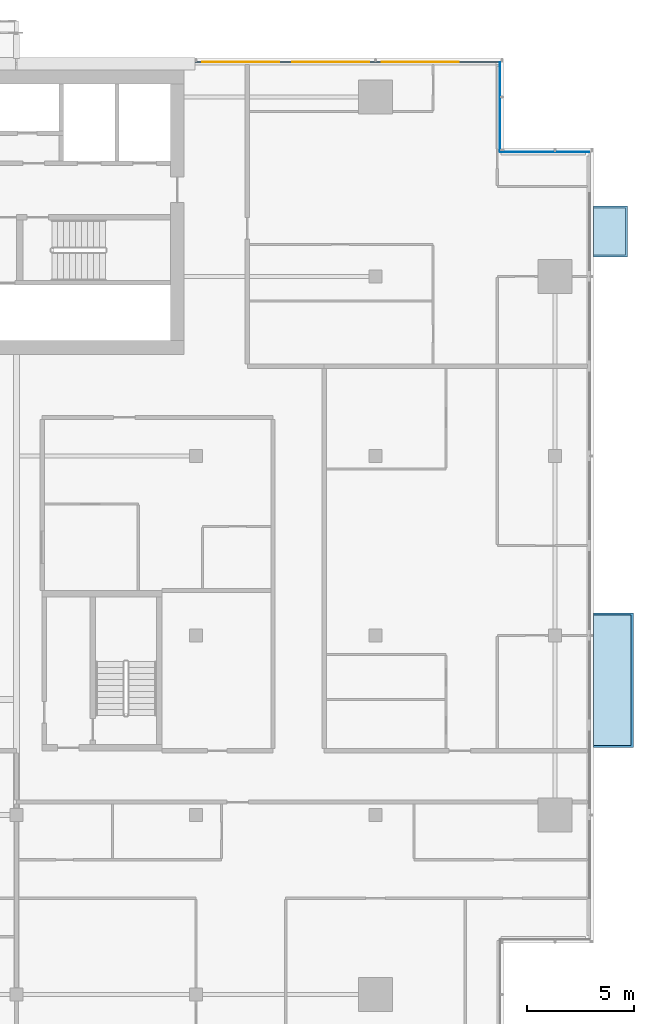
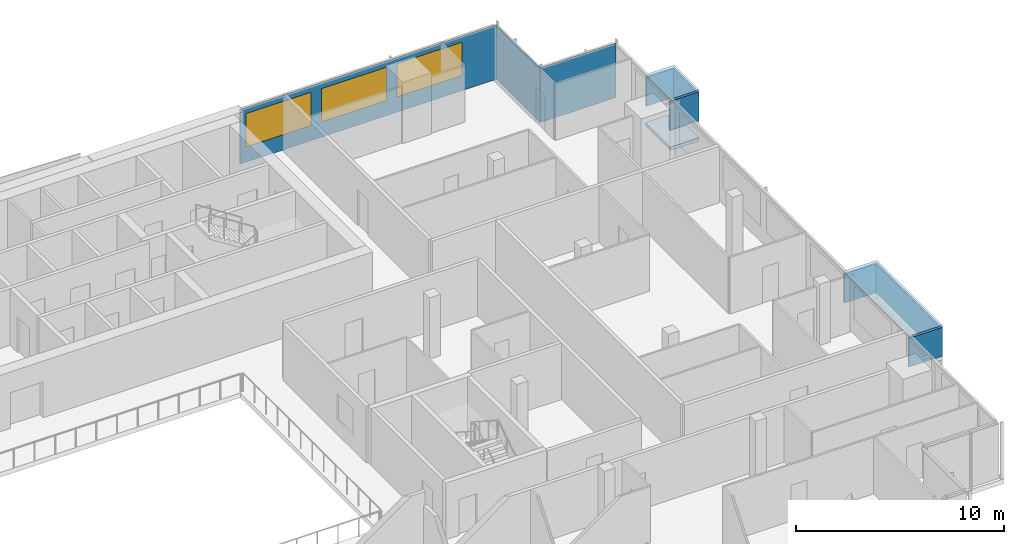
# One storey, part 16 of 26: 7 plates, 3 windows, 1 slab, 3 openings, 3 elements without a shape of their own.
"""IFC4 building model written with IfcOpenShell, lengths in metres."""

from ifc_helpers import new_model, si_unit, direction, frame, frame_2d, origin, place, context, subcontext, project, spatial, polyline, rectangle, outline, extrude, material, layer, layer_set, type_object, element, fill, aggregate, save


model = new_model("IFC4")

# Units and contexts
model_context = context("Model", 3, precision=1e-05, world=origin(), true_north=direction((0.0, 1.0)))
body_context = subcontext(model_context, "Body", "Model", "MODEL_VIEW")
ifc_project = project(units=[si_unit("LENGTHUNIT", "METRE"), si_unit("AREAUNIT", "SQUARE_METRE"), si_unit("VOLUMEUNIT", "CUBIC_METRE"), si_unit("PLANEANGLEUNIT", "RADIAN"), si_unit("MASSUNIT", "GRAM", prefix="KILO")], contexts=[model_context])

# Site, building, storey
site_placement = place(None, origin())
site = spatial("IfcSite", under=ifc_project, at=site_placement, CompositionType="ELEMENT")
building_placement = place(site_placement, origin())
building = spatial("IfcBuilding", under=site, at=building_placement, Name="Saffron Gate Tower", CompositionType="ELEMENT")
storey_placement = place(building_placement, frame((0.0, 0.0, 230.699951171875)))
storey = spatial("IfcBuildingStorey", under=building, at=storey_placement, Name="L56", CompositionType="ELEMENT", Elevation=230.699951171875)

# Curtain wall, plate, openings, windows
ifc_material_1 = material(Name="Aluminium, bronze anodised", Category="aluminium")
curtain_wall_type_1 = type_object("IfcCurtainWallType", Name="CWS3 curtain wall rear facade", PredefinedType="NOTDEFINED", material=ifc_material_1)
curtain_wall_1_placement = place(storey_placement, origin())
curtain_wall_1 = element("IfcCurtainWall", 1, at=curtain_wall_1_placement, inside=storey, type_object=curtain_wall_type_1, Name="CWS3 run 7", PredefinedType="NOTDEFINED")
ifc_material_2 = material(Name="Fritted grey-tinted laminated glass", Category="glass")
ifc_layer_1 = layer(ifc_material_2, 0.028076171875)
ifc_layer_set_1 = layer_set([ifc_layer_1], Name="CWS3 fixed glass")
plate_type_1 = type_object("IfcPlateType", Name="CWS3 fixed glass", PredefinedType="CURTAIN_PANEL", material=ifc_layer_set_1)
plate_1_placement = place(storey_placement, frame((122.81201171875, 75.426025390625, 0.0), z_axis=(0.0, 0.0, 1.0), x_axis=(-1.0, 0.0, 0.0)))
plate_1 = element("IfcPlate", 2, at=plate_1_placement, type_object=plate_type_1, Name="CWS3 glass panel", PredefinedType="CURTAIN_PANEL", context=body_context, shape_type="SweptSolid", body=[
    extrude(rectangle(XDim=14.2470703125, YDim=0.028076171875, at=frame_2d((7.12353515625, 0.0))), origin(), (0.0, 0.0, 1.0), 3.199951171875),
])
opening_1_placement = place(plate_1_placement, frame((1.912109375, 0.0, 0.89990234375)))
opening_1 = element("IfcOpeningElement", 3, at=opening_1_placement, cuts=plate_1, Name="Opening W1", PredefinedType="OPENING", context=body_context, shape_type="SweptSolid", body=[
    extrude(rectangle(XDim=3.60009765625, YDim=1.949951171875, at=frame_2d((1.800048828125, 0.97509765625))), frame((0.0, 0.02392578125, 0.0), z_axis=(0.0, -1.0, 0.0), x_axis=(1.0, 0.0, 0.0)), (0.0, 0.0, 1.0), 0.048095703125),
])
opening_2_placement = place(plate_1_placement, frame((6.112060546875, 0.0, 0.89990234375)))
opening_2 = element("IfcOpeningElement", 4, at=opening_2_placement, cuts=plate_1, Name="Opening W1", PredefinedType="OPENING", context=body_context, shape_type="SweptSolid", body=[
    extrude(rectangle(XDim=3.60009765625, YDim=1.949951171875, at=frame_2d((1.800048828125, 0.97509765625))), frame((0.0, 0.02392578125, 0.0), z_axis=(0.0, -1.0, 0.0), x_axis=(1.0, 0.0, 0.0)), (0.0, 0.0, 1.0), 0.048095703125),
])
opening_3_placement = place(plate_1_placement, frame((10.31201171875, 0.0, 0.89990234375)))
opening_3 = element("IfcOpeningElement", 5, at=opening_3_placement, cuts=plate_1, Name="Opening W1", PredefinedType="OPENING", context=body_context, shape_type="SweptSolid", body=[
    extrude(rectangle(XDim=3.60009765625, YDim=1.949951171875, at=frame_2d((1.800048828125, 0.97509765625))), frame((0.0, 0.02392578125, 0.0), z_axis=(0.0, -1.0, 0.0), x_axis=(1.0, 0.0, 0.0)), (0.0, 0.0, 1.0), 0.048095703125),
])
ifc_material_3 = material(Name="Fritted bronze-tinted laminated glass in bronze frame", Category="glass")
ifc_layer_2 = layer(ifc_material_3, 0.06005859375)
ifc_layer_set_2 = layer_set([ifc_layer_2], Name="W1 operable panel 3600x1950")
window_type = type_object("IfcWindowType", Name="W1 operable panel 3600x1950", PartitioningType="DOUBLE_PANEL_HORIZONTAL", PredefinedType="WINDOW", material=ifc_layer_set_2)
window_1_placement = place(opening_1_placement, origin())
window_1 = element("IfcWindow", 6, at=window_1_placement, type_object=window_type, Name="W1 operable panel", OverallHeight=1.949951171875, OverallWidth=3.60009765625, PartitioningType="SINGLE_PANEL", PredefinedType="WINDOW", context=body_context, shape_type="SweptSolid", body=[
    extrude(rectangle(XDim=3.60009765625, YDim=1.949951171875, at=frame_2d((1.800048828125, 0.97509765625))), frame((0.0, 0.013671875, 0.0), z_axis=(0.0, -1.0, 0.0), x_axis=(1.0, 0.0, 0.0)), (0.0, 0.0, 1.0), 0.027587890625),
])
fill(opening_1, window_1)
window_2_placement = place(opening_2_placement, origin())
window_2 = element("IfcWindow", 7, at=window_2_placement, type_object=window_type, Name="W1 operable panel", OverallHeight=1.949951171875, OverallWidth=3.60009765625, PartitioningType="SINGLE_PANEL", PredefinedType="WINDOW", context=body_context, shape_type="SweptSolid", body=[
    extrude(rectangle(XDim=3.60009765625, YDim=1.949951171875, at=frame_2d((1.800048828125, 0.97509765625))), frame((0.0, 0.013671875, 0.0), z_axis=(0.0, -1.0, 0.0), x_axis=(1.0, 0.0, 0.0)), (0.0, 0.0, 1.0), 0.027587890625),
])
fill(opening_2, window_2)
window_3_placement = place(opening_3_placement, origin())
window_3 = element("IfcWindow", 8, at=window_3_placement, type_object=window_type, Name="W1 operable panel", OverallHeight=1.949951171875, OverallWidth=3.60009765625, PartitioningType="SINGLE_PANEL", PredefinedType="WINDOW", context=body_context, shape_type="SweptSolid", body=[
    extrude(rectangle(XDim=3.60009765625, YDim=1.949951171875, at=frame_2d((1.800048828125, 0.97509765625))), frame((0.0, 0.013671875, 0.0), z_axis=(0.0, -1.0, 0.0), x_axis=(1.0, 0.0, 0.0)), (0.0, 0.0, 1.0), 0.027587890625),
])
fill(opening_3, window_3)
aggregate(curtain_wall_1, [plate_1, window_1, window_2, window_3])

# Curtain wall, plate
curtain_wall_type_2 = type_object("IfcCurtainWallType", Name="CWS4 curtain wall corner returns", PredefinedType="NOTDEFINED", material=ifc_material_1)
curtain_wall_2_placement = place(storey_placement, origin())
curtain_wall_2 = element("IfcCurtainWall", 9, at=curtain_wall_2_placement, inside=storey, type_object=curtain_wall_type_2, Name="CWS4 run 5", PredefinedType="NOTDEFINED")
ifc_material_4 = material(Name="Fritted bronze-tinted laminated glass", Category="glass")
ifc_layer_3 = layer(ifc_material_4, 0.028076171875)
ifc_layer_set_3 = layer_set([ifc_layer_3], Name="CWS4 fixed glass")
plate_type_2 = type_object("IfcPlateType", Name="CWS4 fixed glass", PredefinedType="CURTAIN_PANEL", material=ifc_layer_set_3)
plate_2_placement = place(storey_placement, frame((127.011962890625, 71.22607421875, 0.0), z_axis=(0.0, 0.0, 1.0), x_axis=(-1.0, 0.0, 0.0)))
plate_2 = element("IfcPlate", 10, at=plate_2_placement, type_object=plate_type_2, Name="CWS4 glass panel", PredefinedType="CURTAIN_PANEL", context=body_context, shape_type="SweptSolid", body=[
    extrude(rectangle(XDim=4.171875, YDim=0.028076171875, at=frame_2d((2.0859375, 0.0))), origin(), (0.0, 0.0, 1.0), 3.199951171875),
])
aggregate(curtain_wall_2, [plate_2])

curtain_wall_3_placement = place(storey_placement, origin())
curtain_wall_3 = element("IfcCurtainWall", 11, at=curtain_wall_3_placement, inside=storey, type_object=curtain_wall_type_2, Name="CWS4 run 6", PredefinedType="NOTDEFINED")
plate_3_placement = place(storey_placement, frame((122.825927734375, 71.239990234375, 0.0), z_axis=(0.0, 0.0, 1.0), x_axis=(0.0, 1.0, 0.0)))
plate_3 = element("IfcPlate", 12, at=plate_3_placement, type_object=plate_type_2, Name="CWS4 glass panel", PredefinedType="CURTAIN_PANEL", context=body_context, shape_type="SweptSolid", body=[
    extrude(rectangle(XDim=4.172119140625, YDim=0.028076171875, at=frame_2d((2.0859375, 0.0))), origin(), (0.0, 0.0, 1.0), 3.199951171875),
])
aggregate(curtain_wall_3, [plate_3])

# Slab
ifc_material_5 = material(Name="Timber deck on bronze frame", Category="wood")
ifc_layer_4 = layer(ifc_material_5, 0.199951171875)
ifc_layer_set_4 = layer_set([ifc_layer_4], Name="WB1 box floor")
slab_type = type_object("IfcSlabType", Name="WB1 box floor", PredefinedType="FLOOR", material=ifc_layer_set_4)
slab_placement = place(storey_placement, frame((0.0, 0.0, -0.199951171875)))
element("IfcSlab", 13, at=slab_placement, inside=storey, type_object=slab_type, Name="WINDOW BOX floor", PredefinedType="FLOOR", context=body_context, shape_type="SweptSolid", body=[
    extrude(outline(polyline([(127.199951171875, 66.300048828125), (127.199951171875, 68.699951171875), (128.800048828125, 68.699951171875), (128.800048828125, 66.300048828125), (127.199951171875, 66.300048828125)])), origin(), (0.0, 0.0, 1.0), 0.199951171875),
])

# Plates
ifc_layer_5 = layer(ifc_material_1, 0.1201171875)
ifc_layer_set_5 = layer_set([ifc_layer_5], Name="WB2 box roof")
plate_type_3 = type_object("IfcPlateType", Name="WB2 box roof", PredefinedType="SHEET", material=ifc_layer_set_5)
plate_4_placement = place(storey_placement, frame((0.0, 0.0, 2.699951171875)))
element("IfcPlate", 14, at=plate_4_placement, inside=storey, type_object=plate_type_3, Name="WINDOW BOX roof", PredefinedType="SHEET", context=body_context, shape_type="SweptSolid", body=[
    extrude(outline(polyline([(127.199951171875, 43.35009765625), (127.199951171875, 49.64990234375), (129.06689453125, 49.64990234375), (129.06689453125, 43.35009765625), (127.199951171875, 43.35009765625)])), origin(), (0.0, 0.0, 1.0), 0.1201171875),
])
plate_5_placement = place(storey_placement, frame((0.0, 0.0, 2.699951171875)))
element("IfcPlate", 15, at=plate_5_placement, inside=storey, type_object=plate_type_3, Name="WINDOW BOX roof", PredefinedType="SHEET", context=body_context, shape_type="SweptSolid", body=[
    extrude(outline(polyline([(127.199951171875, 66.300048828125), (127.199951171875, 68.699951171875), (128.800048828125, 68.699951171875), (128.800048828125, 66.300048828125), (127.199951171875, 66.300048828125)])), origin(), (0.0, 0.0, 1.0), 0.1201171875),
])
ifc_material_6 = material(Name="Clear low-iron laminated glass", Category="glass")
ifc_layer_6 = layer(ifc_material_6, 0.10009765625)
ifc_layer_set_6 = layer_set([ifc_layer_6], Name="WB6 box glazing")
plate_type_4 = type_object("IfcPlateType", Name="WB6 box glazing", PredefinedType="SHEET", material=ifc_layer_set_6)
plate_6_placement = place(storey_placement, frame((0.0, 0.0, 1.0)))
element("IfcPlate", 16, at=plate_6_placement, inside=storey, type_object=plate_type_4, Name="WINDOW BOX glazing", PredefinedType="SHEET", context=body_context, shape_type="SweptSolid", body=[
    extrude(outline(polyline([(127.199951171875, 43.35009765625), (127.199951171875, 43.449951171875), (128.967041015625, 43.449951171875), (128.967041015625, 49.550048828125), (127.199951171875, 49.550048828125), (127.199951171875, 49.64990234375), (129.06689453125, 49.64990234375), (129.06689453125, 43.35009765625), (127.199951171875, 43.35009765625)])), origin(), (0.0, 0.0, 1.0), 1.699951171875),
])
plate_7_placement = place(storey_placement, frame((0.0, 0.0, 1.0)))
element("IfcPlate", 17, at=plate_7_placement, inside=storey, type_object=plate_type_4, Name="WINDOW BOX glazing", PredefinedType="SHEET", context=body_context, shape_type="SweptSolid", body=[
    extrude(outline(polyline([(127.199951171875, 66.300048828125), (127.199951171875, 66.39990234375), (128.699951171875, 66.39990234375), (128.699951171875, 68.60009765625), (127.199951171875, 68.60009765625), (127.199951171875, 68.699951171875), (128.800048828125, 68.699951171875), (128.800048828125, 66.300048828125), (127.199951171875, 66.300048828125)])), origin(), (0.0, 0.0, 1.0), 1.699951171875),
])

save(model, "model.ifc")
